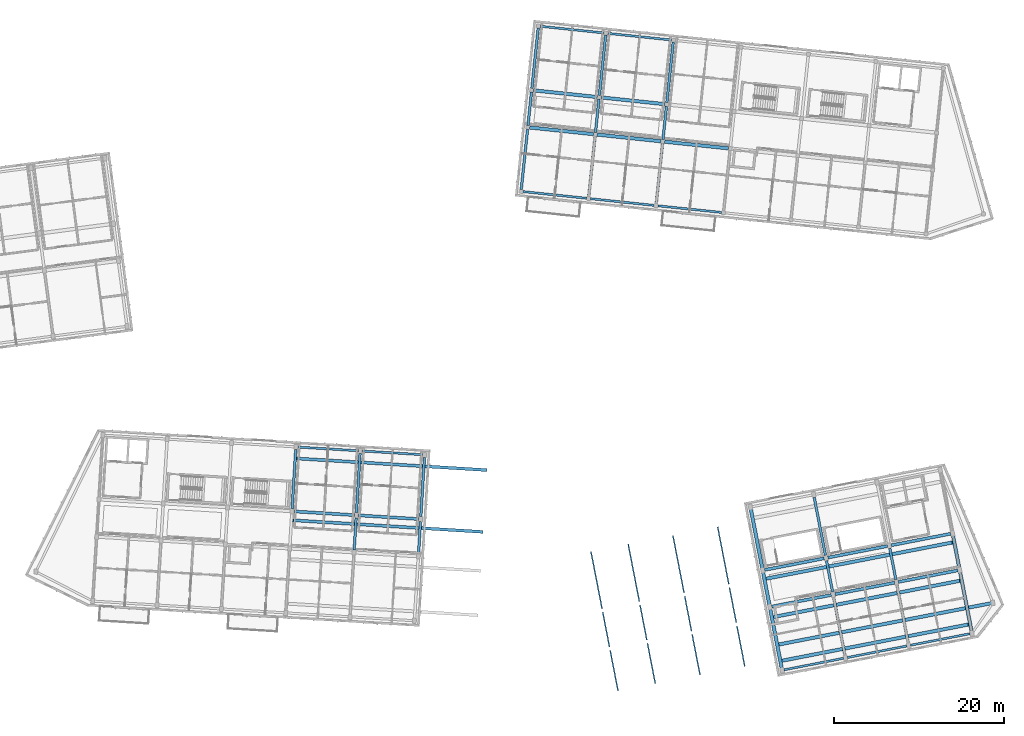
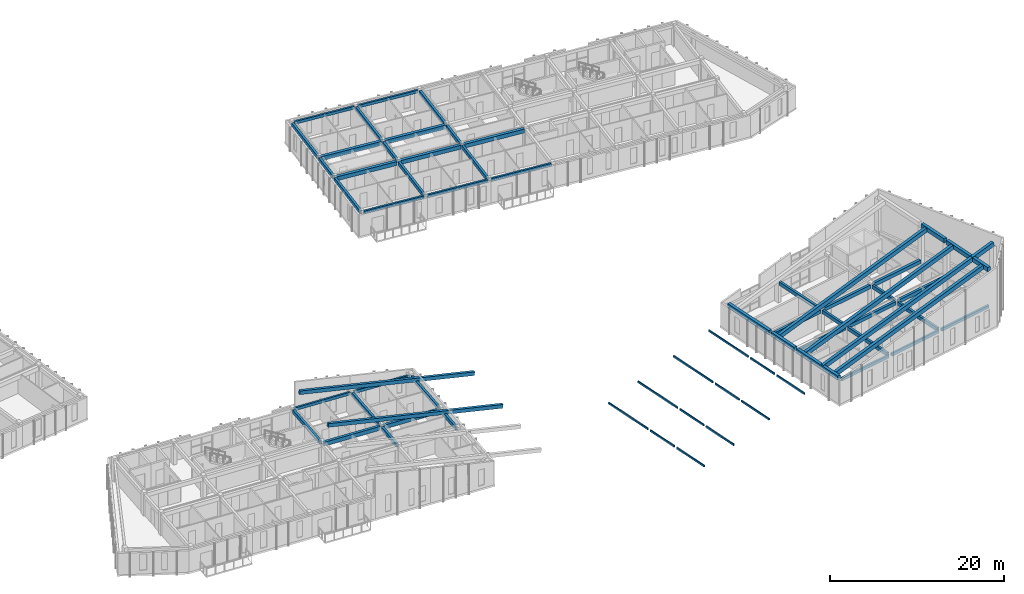
# One storey, part 9 of 56: 53 beams, 12 members.
"""IFC4 building model written with IfcOpenShell, lengths in metres."""

from ifc_helpers import new_model, si_unit, direction, frame, origin, origin_2d, place, context, subcontext, project, spatial, rectangle, hollow_rectangle, extrude, material, material_profile, profile_set, type_object, element, save


model = new_model("IFC4")

# Units and contexts
model_context = context("Model", 3, precision=1e-05, world=origin(), true_north=direction((0.0, 1.0)))
body_context = subcontext(model_context, "Body", "Model", "MODEL_VIEW")
ifc_project = project(units=[si_unit("LENGTHUNIT", "METRE"), si_unit("AREAUNIT", "SQUARE_METRE"), si_unit("VOLUMEUNIT", "CUBIC_METRE"), si_unit("PLANEANGLEUNIT", "RADIAN"), si_unit("MASSUNIT", "GRAM", prefix="KILO")], contexts=[model_context])

# Site, building, storey
site_placement = place(None, origin())
site = spatial("IfcSite", under=ifc_project, at=site_placement, CompositionType="ELEMENT")
building_placement = place(site_placement, origin())
building = spatial("IfcBuilding", under=site, at=building_placement, Name="Kestramere Prow Commons", CompositionType="ELEMENT")
storey_placement = place(building_placement, frame((0.0, 0.0, 27.89990234375)))
storey = spatial("IfcBuildingStorey", under=building, at=storey_placement, Name="L08", CompositionType="ELEMENT", Elevation=27.89990234375)

# Beams
ifc_material_1 = material(Name="Precast concrete C40/50", Category="concrete")
ifc_material_profile_1 = material_profile(ifc_material_1, rectangle(XDim=0.39990234375, YDim=0.550048828125, at=origin_2d()), Name="PC-BM 400x550")
ifc_profile_set_1 = profile_set([ifc_material_profile_1], Name="Precast concrete C40/50")
beam_type_1 = type_object("IfcBeamType", Name="BM-B1 PC-BM 400x550", PredefinedType="BEAM", material=ifc_profile_set_1)
beam_1_placement = place(storey_placement, frame((111.01806640625, 102.3349609375, 2.72509765625), z_axis=(0.994520503149, -0.104541708502, 0.0), x_axis=(0.104541708502, 0.994520503149, 0.0)))
element("IfcBeam", 1, at=beam_1_placement, inside=storey, type_object=beam_type_1, Name="Block B L08 Longitudinal Beam 2-1", PredefinedType="BEAM", context=body_context, shape_type="SweptSolid", body=[
    extrude(rectangle(XDim=0.39990234375, YDim=0.550048828125, at=origin_2d()), origin(), (0.0, 0.0, 1.0), 7.550048828125),
])
beam_2_placement = place(storey_placement, frame((118.974365234375, 101.49853515625, 2.72509765625), z_axis=(0.994523511366, -0.104513086937, 0.0), x_axis=(0.104513086937, 0.994523511366, 0.0)))
element("IfcBeam", 2, at=beam_2_placement, inside=storey, type_object=beam_type_1, Name="Block B L08 Longitudinal Beam 2-2", PredefinedType="BEAM", context=body_context, shape_type="SweptSolid", body=[
    extrude(rectangle(XDim=0.39990234375, YDim=0.550048828125, at=origin_2d()), origin(), (0.0, 0.0, 1.0), 7.5498046875),
])
for number, where, z_axis, x_axis, name in (
    (3, (126.930419921875, 100.662353515625, 2.72509765625), (0.994523864565, -0.104509725916, 0.0), (0.104509725916, 0.994523864565, 0.0), "Block B L08 Longitudinal Beam 2-3"),
    (4, (111.47802734375, 106.710693359375, 2.72509765625), (0.994523864565, -0.104509725916, 0.0), (0.104509725916, 0.994523864565, 0.0), "Block B L08 Longitudinal Beam 3-1"),
):
    element("IfcBeam", number, at=place(storey_placement, frame(where, z_axis=z_axis, x_axis=x_axis)), inside=storey, type_object=beam_type_1, Name=name, PredefinedType="BEAM", context=body_context, shape_type="SweptSolid", body=[
        extrude(rectangle(XDim=0.39990234375, YDim=0.550048828125, at=origin_2d()), origin(), (0.0, 0.0, 1.0), 7.550048828125),
    ])
beam_3_placement = place(storey_placement, frame((119.434326171875, 105.87451171875, 2.72509765625), z_axis=(0.994520149735, -0.104545070528, 0.0), x_axis=(0.104545070528, 0.994520149735, 0.0)))
element("IfcBeam", 5, at=beam_3_placement, inside=storey, type_object=beam_type_1, Name="Block B L08 Longitudinal Beam 3-2", PredefinedType="BEAM", context=body_context, shape_type="SweptSolid", body=[
    extrude(rectangle(XDim=0.39990234375, YDim=0.550048828125, at=origin_2d()), origin(), (0.0, 0.0, 1.0), 7.5498046875),
])
ifc_material_profile_2 = material_profile(ifc_material_1, rectangle(XDim=0.35009765625, YDim=0.550048828125, at=origin_2d()), Name="PC-BM 350x550")
ifc_profile_set_2 = profile_set([ifc_material_profile_2], Name="Precast concrete C40/50")
beam_type_2 = type_object("IfcBeamType", Name="BM-C1 PC-BM 350x550", PredefinedType="BEAM", material=ifc_profile_set_2)
beam_4_placement = place(storey_placement, frame((83.214599609375, 57.072021484375, 2.72509765625), z_axis=(0.998134602239, -0.061051747017, 0.0), x_axis=(0.061051747017, 0.998134602239, 0.0)))
element("IfcBeam", 6, at=beam_4_placement, inside=storey, type_object=beam_type_2, Name="Block C L08 Longitudinal Beam 3-4", PredefinedType="BEAM", context=body_context, shape_type="SweptSolid", body=[
    extrude(rectangle(XDim=0.35009765625, YDim=0.550048828125, at=origin_2d()), origin(), (0.0, 0.0, 1.0), 7.150146484375),
])
beam_5_placement = place(storey_placement, frame((90.800537109375, 56.60791015625, 2.72509765625), z_axis=(0.998136555268, -0.061019808568, 0.0), x_axis=(0.061019808568, 0.998136555268, 0.0)))
element("IfcBeam", 7, at=beam_5_placement, inside=storey, type_object=beam_type_2, Name="Block C L08 Longitudinal Beam 3-5", PredefinedType="BEAM", context=body_context, shape_type="SweptSolid", body=[
    extrude(rectangle(XDim=0.35009765625, YDim=0.550048828125, at=origin_2d()), origin(), (0.0, 0.0, 1.0), 7.14990234375),
])
ifc_material_profile_3 = material_profile(ifc_material_1, rectangle(XDim=0.35009765625, YDim=0.5, at=origin_2d()), Name="PC-BM 350x500")
ifc_profile_set_3 = profile_set([ifc_material_profile_3], Name="Precast concrete C40/50")
beam_type_3 = type_object("IfcBeamType", Name="BM-D1 PC-BM 350x500", PredefinedType="BEAM", material=ifc_profile_set_3)
beam_6_placement = place(storey_placement, frame((139.5517578125, 45.853759765625, 2.75), z_axis=(0.981628715169, 0.190801115182, 0.0), x_axis=(-0.190801115182, 0.981628715169, 0.0)))
element("IfcBeam", 8, at=beam_6_placement, inside=storey, type_object=beam_type_3, Name="Block D L08 Longitudinal Beam 2-4", PredefinedType="BEAM", context=body_context, shape_type="SweptSolid", body=[
    extrude(rectangle(XDim=0.35009765625, YDim=0.5, at=origin_2d()), origin(), (0.0, 0.0, 1.0), 7.150146484375),
])
for number, where, z_axis, x_axis, name in (
    (9, (147.01220703125, 47.303955078125, 2.75), (0.981627472063, 0.190807510571, 0.0), (-0.190807510571, 0.981627472063, 0.0), "Block D L08 Longitudinal Beam 2-5"),
    (10, (154.47265625, 48.754150390625, 2.75), (0.981627472063, 0.190807510571, 0.0), (-0.190807510571, 0.981627472063, 0.0), "Block D L08 Longitudinal Beam 2-6"),
):
    element("IfcBeam", number, at=place(storey_placement, frame(where, z_axis=z_axis, x_axis=x_axis)), inside=storey, type_object=beam_type_3, Name=name, PredefinedType="BEAM", context=body_context, shape_type="SweptSolid", body=[
        extrude(rectangle(XDim=0.35009765625, YDim=0.5, at=origin_2d()), origin(), (0.0, 0.0, 1.0), 7.14990234375),
    ])
beam_7_placement = place(storey_placement, frame((138.712158203125, 50.1728515625, 2.75), z_axis=(0.981628715169, 0.190801115182, 0.0), x_axis=(-0.190801115182, 0.981628715169, 0.0)))
element("IfcBeam", 11, at=beam_7_placement, inside=storey, type_object=beam_type_3, Name="Block D L08 Longitudinal Beam 3-4", PredefinedType="BEAM", context=body_context, shape_type="SweptSolid", body=[
    extrude(rectangle(XDim=0.35009765625, YDim=0.5, at=origin_2d()), origin(), (0.0, 0.0, 1.0), 7.150146484375),
])
for number, where, z_axis, x_axis, name in (
    (12, (146.172607421875, 51.623046875, 2.75), (0.981627472063, 0.190807510571, 0.0), (-0.190807510571, 0.981627472063, 0.0), "Block D L08 Longitudinal Beam 3-5"),
    (13, (153.633056640625, 53.0732421875, 2.75), (0.981627472063, 0.190807510571, 0.0), (-0.190807510571, 0.981627472063, 0.0), "Block D L08 Longitudinal Beam 3-6"),
):
    element("IfcBeam", number, at=place(storey_placement, frame(where, z_axis=z_axis, x_axis=x_axis)), inside=storey, type_object=beam_type_3, Name=name, PredefinedType="BEAM", context=body_context, shape_type="SweptSolid", body=[
        extrude(rectangle(XDim=0.35009765625, YDim=0.5, at=origin_2d()), origin(), (0.0, 0.0, 1.0), 7.14990234375),
    ])
ifc_material_profile_4 = material_profile(ifc_material_1, rectangle(XDim=0.300048828125, YDim=0.5, at=origin_2d()), Name="PC-BM 300x500")
ifc_profile_set_4 = profile_set([ifc_material_profile_4], Name="Precast concrete C40/50")
beam_type_4 = type_object("IfcBeamType", Name="BM-TIE-01 PC-BM 300x500", PredefinedType="BEAM", material=ifc_profile_set_4)
beam_8_placement = place(storey_placement, frame((110.0234375, 95.023681640625, 2.75), z_axis=(0.104553253602, 0.994519289487, 0.0), x_axis=(-0.994519289487, 0.104553253602, 0.0)))
element("IfcBeam", 14, at=beam_8_placement, inside=storey, type_object=beam_type_4, Name="Block B L08 Transverse Beam 1-1", PredefinedType="BEAM", context=body_context, shape_type="SweptSolid", body=[
    extrude(rectangle(XDim=0.300048828125, YDim=0.5, at=origin_2d()), origin(), (0.0, 0.0, 1.0), 7.150146484375),
])
beam_9_placement = place(storey_placement, frame((110.81787109375, 102.58203125, 2.75), z_axis=(0.10451426563, 0.994523387498, 0.0), x_axis=(-0.994523387498, 0.10451426563, 0.0)))
element("IfcBeam", 15, at=beam_9_placement, inside=storey, type_object=beam_type_4, Name="Block B L08 Transverse Beam 1-2", PredefinedType="BEAM", context=body_context, shape_type="SweptSolid", body=[
    extrude(rectangle(XDim=0.300048828125, YDim=0.5, at=origin_2d()), origin(), (0.0, 0.0, 1.0), 3.9501953125),
])
for number, where, z_axis, x_axis, name in (
    (16, (111.27783203125, 106.9580078125, 2.75), (0.104519481265, 0.994522839374, 0.0), (-0.994522839374, 0.104519481265, 0.0), "Block B L08 Transverse Beam 1-3"),
    (17, (117.979736328125, 94.1875, 2.75), (0.104519481265, 0.994522839374, 0.0), (-0.994522839374, 0.104519481265, 0.0), "Block B L08 Transverse Beam 2-1"),
):
    element("IfcBeam", number, at=place(storey_placement, frame(where, z_axis=z_axis, x_axis=x_axis)), inside=storey, type_object=beam_type_4, Name=name, PredefinedType="BEAM", context=body_context, shape_type="SweptSolid", body=[
        extrude(rectangle(XDim=0.300048828125, YDim=0.5, at=origin_2d()), origin(), (0.0, 0.0, 1.0), 7.14990234375),
    ])
beam_10_placement = place(storey_placement, frame((118.774169921875, 101.745849609375, 2.75), z_axis=(0.10451426563, 0.994523387498, 0.0), x_axis=(-0.994523387498, 0.10451426563, 0.0)))
element("IfcBeam", 18, at=beam_10_placement, inside=storey, type_object=beam_type_4, Name="Block B L08 Transverse Beam 2-2", PredefinedType="BEAM", context=body_context, shape_type="SweptSolid", body=[
    extrude(rectangle(XDim=0.300048828125, YDim=0.5, at=origin_2d()), origin(), (0.0, 0.0, 1.0), 3.9501953125),
])
beam_11_placement = place(storey_placement, frame((119.234130859375, 106.121826171875, 2.75), z_axis=(0.104519481265, 0.994522839374, 0.0), x_axis=(-0.994522839374, 0.104519481265, 0.0)))
element("IfcBeam", 19, at=beam_11_placement, inside=storey, type_object=beam_type_4, Name="Block B L08 Transverse Beam 2-3", PredefinedType="BEAM", context=body_context, shape_type="SweptSolid", body=[
    extrude(rectangle(XDim=0.300048828125, YDim=0.5, at=origin_2d()), origin(), (0.0, 0.0, 1.0), 7.14990234375),
])
beam_12_placement = place(storey_placement, frame((125.935791015625, 93.351318359375, 2.75), z_axis=(0.104553253602, 0.994519289487, 0.0), x_axis=(-0.994519289487, 0.104553253602, 0.0)))
element("IfcBeam", 20, at=beam_12_placement, inside=storey, type_object=beam_type_4, Name="Block B L08 Transverse Beam 3-1", PredefinedType="BEAM", context=body_context, shape_type="SweptSolid", body=[
    extrude(rectangle(XDim=0.300048828125, YDim=0.5, at=origin_2d()), origin(), (0.0, 0.0, 1.0), 7.150146484375),
])
beam_13_placement = place(storey_placement, frame((126.730224609375, 100.90966796875, 2.75), z_axis=(0.10451426563, 0.994523387498, 0.0), x_axis=(-0.994523387498, 0.10451426563, 0.0)))
element("IfcBeam", 21, at=beam_13_placement, inside=storey, type_object=beam_type_4, Name="Block B L08 Transverse Beam 3-2", PredefinedType="BEAM", context=body_context, shape_type="SweptSolid", body=[
    extrude(rectangle(XDim=0.300048828125, YDim=0.5, at=origin_2d()), origin(), (0.0, 0.0, 1.0), 3.9501953125),
])
beam_14_placement = place(storey_placement, frame((127.190185546875, 105.28564453125, 2.75), z_axis=(0.104519481265, 0.994522839374, 0.0), x_axis=(-0.994522839374, 0.104519481265, 0.0)))
element("IfcBeam", 22, at=beam_14_placement, inside=storey, type_object=beam_type_4, Name="Block B L08 Transverse Beam 3-3", PredefinedType="BEAM", context=body_context, shape_type="SweptSolid", body=[
    extrude(rectangle(XDim=0.300048828125, YDim=0.5, at=origin_2d()), origin(), (0.0, 0.0, 1.0), 7.14990234375),
])
beam_15_placement = place(storey_placement, frame((83.00830078125, 57.38525390625, 2.75), z_axis=(0.061071060859, 0.998133420704, 0.0), x_axis=(-0.998133420704, 0.061071060859, 0.0)))
element("IfcBeam", 23, at=beam_15_placement, inside=storey, type_object=beam_type_4, Name="Block C L08 Transverse Beam 4-3", PredefinedType="BEAM", context=body_context, shape_type="SweptSolid", body=[
    extrude(rectangle(XDim=0.300048828125, YDim=0.5, at=origin_2d()), origin(), (0.0, 0.0, 1.0), 7.0),
])
beam_16_placement = place(storey_placement, frame((90.32568359375, 52.529296875, 2.75), z_axis=(0.061034300063, 0.998135669243, 0.0), x_axis=(-0.998135669243, 0.061034300063, 0.0)))
element("IfcBeam", 24, at=beam_16_placement, inside=storey, type_object=beam_type_4, Name="Block C L08 Transverse Beam 5-2", PredefinedType="BEAM", context=body_context, shape_type="SweptSolid", body=[
    extrude(rectangle(XDim=0.300048828125, YDim=0.5, at=origin_2d()), origin(), (0.0, 0.0, 1.0), 3.800048828125),
])
beam_17_placement = place(storey_placement, frame((90.59423828125, 56.921142578125, 2.75), z_axis=(0.061034188237, 0.998135676081, 0.0), x_axis=(-0.998135676081, 0.061034188237, 0.0)))
element("IfcBeam", 25, at=beam_17_placement, inside=storey, type_object=beam_type_4, Name="Block C L08 Transverse Beam 5-3", PredefinedType="BEAM", context=body_context, shape_type="SweptSolid", body=[
    extrude(rectangle(XDim=0.300048828125, YDim=0.5, at=origin_2d()), origin(), (0.0, 0.0, 1.0), 7.0),
])
beam_18_placement = place(storey_placement, frame((97.911376953125, 52.0654296875, 2.75), z_axis=(0.061034300063, 0.998135669243, 0.0), x_axis=(-0.998135669243, 0.061034300063, 0.0)))
element("IfcBeam", 26, at=beam_18_placement, inside=storey, type_object=beam_type_4, Name="Block C L08 Transverse Beam 6-2", PredefinedType="BEAM", context=body_context, shape_type="SweptSolid", body=[
    extrude(rectangle(XDim=0.300048828125, YDim=0.5, at=origin_2d()), origin(), (0.0, 0.0, 1.0), 3.800048828125),
])
beam_19_placement = place(storey_placement, frame((98.179931640625, 56.457275390625, 2.75), z_axis=(0.061071060859, 0.998133420704, 0.0), x_axis=(-0.998133420704, 0.061071060859, 0.0)))
element("IfcBeam", 27, at=beam_19_placement, inside=storey, type_object=beam_type_4, Name="Block C L08 Transverse Beam 6-3", PredefinedType="BEAM", context=body_context, shape_type="SweptSolid", body=[
    extrude(rectangle(XDim=0.300048828125, YDim=0.5, at=origin_2d()), origin(), (0.0, 0.0, 1.0), 7.0),
])
beam_20_placement = place(storey_placement, frame((148.179443359375, 40.11962890625, 2.75), z_axis=(-0.190817005532, 0.981625626397, 0.0), x_axis=(-0.981625626397, -0.190817005532, 0.0)))
element("IfcBeam", 28, at=beam_20_placement, inside=storey, type_object=beam_type_4, Name="Block D L08 Transverse Beam 5-1", PredefinedType="BEAM", context=body_context, shape_type="SweptSolid", body=[
    extrude(rectangle(XDim=0.300048828125, YDim=0.5, at=origin_2d()), origin(), (0.0, 0.0, 1.0), 6.949951171875),
])
beam_21_placement = place(storey_placement, frame((146.729248046875, 47.580078125, 2.75), z_axis=(-0.190829578001, 0.981623182367, 0.0), x_axis=(-0.981623182367, -0.190829578001, 0.0)))
element("IfcBeam", 29, at=beam_21_placement, inside=storey, type_object=beam_type_4, Name="Block D L08 Transverse Beam 5-2", PredefinedType="BEAM", context=body_context, shape_type="SweptSolid", body=[
    extrude(rectangle(XDim=0.300048828125, YDim=0.5, at=origin_2d()), origin(), (0.0, 0.0, 1.0), 3.749755859375),
])
for number, where, z_axis, x_axis, name in (
    (30, (145.8896484375, 51.899169921875, 2.75), (-0.190783155939, 0.981632205773, 0.0), (-0.981632205773, -0.190783155939, 0.0), "Block D L08 Transverse Beam 5-3"),
    (31, (155.639892578125, 41.56982421875, 2.75), (-0.190817005532, 0.981625626397, 0.0), (-0.981625626397, -0.190817005532, 0.0), "Block D L08 Transverse Beam 6-1"),
):
    element("IfcBeam", number, at=place(storey_placement, frame(where, z_axis=z_axis, x_axis=x_axis)), inside=storey, type_object=beam_type_4, Name=name, PredefinedType="BEAM", context=body_context, shape_type="SweptSolid", body=[
        extrude(rectangle(XDim=0.300048828125, YDim=0.5, at=origin_2d()), origin(), (0.0, 0.0, 1.0), 6.949951171875),
    ])
beam_22_placement = place(storey_placement, frame((154.189697265625, 49.030029296875, 2.75), z_axis=(-0.190817382683, 0.981625553083, 0.0), x_axis=(-0.981625553083, -0.190817382683, 0.0)))
element("IfcBeam", 32, at=beam_22_placement, inside=storey, type_object=beam_type_4, Name="Block D L08 Transverse Beam 6-2", PredefinedType="BEAM", context=body_context, shape_type="SweptSolid", body=[
    extrude(rectangle(XDim=0.300048828125, YDim=0.5, at=origin_2d()), origin(), (0.0, 0.0, 1.0), 3.75),
])

# Members
ifc_material_2 = material(Name="Steel S355JR", Category="steel")
ifc_material_profile_5 = material_profile(ifc_material_2, hollow_rectangle(XDim=0.14990234375, YDim=0.25, WallThickness=0.010009765625, at=origin_2d()), Name="RHS 250x150x10")
ifc_profile_set_5 = profile_set([ifc_material_profile_5], Name="Steel S355JR")
member_type = type_object("IfcMemberType", Name="PUR-01 RHS 250x150x10", PredefinedType="PURLIN", material=ifc_profile_set_5)
member_1_placement = place(storey_placement, frame((136.37255859375, 38.81787109375, 2.15380859375), z_axis=(-0.190837321905, 0.981621676904, 0.0), x_axis=(-0.981621676904, -0.190837321905, 0.0)))
element("IfcMember", 33, at=member_1_placement, inside=storey, type_object=member_type, Name="Block D Prow Roof Purlin 1-1", PredefinedType="PURLIN", context=body_context, shape_type="SweptSolid", body=[
    extrude(hollow_rectangle(XDim=0.14990234375, YDim=0.25, WallThickness=0.010009765625, at=origin_2d()), origin(), (0.0, 0.0, 1.0), 4.849853515625),
])
member_2_placement = place(storey_placement, frame((135.370849609375, 43.971435546875, 2.15380859375), z_axis=(-0.190836985834, 0.98162174224, 0.0), x_axis=(-0.98162174224, -0.190836985834, 0.0)))
element("IfcMember", 34, at=member_2_placement, inside=storey, type_object=member_type, Name="Block D Prow Roof Purlin 1-2", PredefinedType="PURLIN", context=body_context, shape_type="SweptSolid", body=[
    extrude(hollow_rectangle(XDim=0.14990234375, YDim=0.25, WallThickness=0.010009765625, at=origin_2d()), origin(), (0.0, 0.0, 1.0), 4.199951171875),
])
member_3_placement = place(storey_placement, frame((134.4931640625, 48.48681640625, 2.15380859375), z_axis=(-0.190819465253, 0.981625148252, 0.0), x_axis=(-0.981625148252, -0.190819465253, 0.0)))
element("IfcMember", 35, at=member_3_placement, inside=storey, type_object=member_type, Name="Block D Prow Roof Purlin 1-3", PredefinedType="PURLIN", context=body_context, shape_type="SweptSolid", body=[
    extrude(hollow_rectangle(XDim=0.14990234375, YDim=0.25, WallThickness=0.010009765625, at=origin_2d()), origin(), (0.0, 0.0, 1.0), 6.89990234375),
])
member_4_placement = place(storey_placement, frame((131.10009765625, 37.79296875, 1.04052734375), z_axis=(-0.190827892247, 0.981623510079, 0.0), x_axis=(-0.981623510079, -0.190827892247, 0.0)))
element("IfcMember", 36, at=member_4_placement, inside=storey, type_object=member_type, Name="Block D Prow Roof Purlin 2-1", PredefinedType="PURLIN", context=body_context, shape_type="SweptSolid", body=[
    extrude(hollow_rectangle(XDim=0.14990234375, YDim=0.25, WallThickness=0.010009765625, at=origin_2d()), origin(), (0.0, 0.0, 1.0), 4.85009765625),
])
member_5_placement = place(storey_placement, frame((130.09814453125, 42.946533203125, 1.04052734375), z_axis=(-0.190780973041, 0.981632630023, 0.0), x_axis=(-0.981632630023, -0.190780973041, 0.0)))
element("IfcMember", 37, at=member_5_placement, inside=storey, type_object=member_type, Name="Block D Prow Roof Purlin 2-2", PredefinedType="PURLIN", context=body_context, shape_type="SweptSolid", body=[
    extrude(hollow_rectangle(XDim=0.14990234375, YDim=0.25, WallThickness=0.010009765625, at=origin_2d()), origin(), (0.0, 0.0, 1.0), 4.199951171875),
])
member_6_placement = place(storey_placement, frame((129.220458984375, 47.4619140625, 1.04052734375), z_axis=(-0.190785370465, 0.98163177537, 0.0), x_axis=(-0.98163177537, -0.190785370465, 0.0)))
element("IfcMember", 38, at=member_6_placement, inside=storey, type_object=member_type, Name="Block D Prow Roof Purlin 2-3", PredefinedType="PURLIN", context=body_context, shape_type="SweptSolid", body=[
    extrude(hollow_rectangle(XDim=0.14990234375, YDim=0.25, WallThickness=0.010009765625, at=origin_2d()), origin(), (0.0, 0.0, 1.0), 6.89990234375),
])
member_7_placement = place(storey_placement, frame((125.827392578125, 36.76806640625, -0.07275390625), z_axis=(-0.190779387502, 0.981632938172, 0.0), x_axis=(-0.981632938172, -0.190779387502, 0.0)))
element("IfcMember", 39, at=member_7_placement, inside=storey, type_object=member_type, Name="Block D Prow Roof Purlin 3-1", PredefinedType="PURLIN", context=body_context, shape_type="SweptSolid", body=[
    extrude(hollow_rectangle(XDim=0.14990234375, YDim=0.25, WallThickness=0.010009765625, at=origin_2d()), origin(), (0.0, 0.0, 1.0), 4.85009765625),
])
member_8_placement = place(storey_placement, frame((124.82568359375, 41.921630859375, -0.07275390625), z_axis=(-0.190780973041, 0.981632630023, 0.0), x_axis=(-0.981632630023, -0.190780973041, 0.0)))
element("IfcMember", 40, at=member_8_placement, inside=storey, type_object=member_type, Name="Block D Prow Roof Purlin 3-2", PredefinedType="PURLIN", context=body_context, shape_type="SweptSolid", body=[
    extrude(hollow_rectangle(XDim=0.14990234375, YDim=0.25, WallThickness=0.010009765625, at=origin_2d()), origin(), (0.0, 0.0, 1.0), 4.199951171875),
])
member_9_placement = place(storey_placement, frame((123.947998046875, 46.43701171875, -0.07275390625), z_axis=(-0.190812837813, 0.981626436546, 0.0), x_axis=(-0.981626436546, -0.190812837813, 0.0)))
element("IfcMember", 41, at=member_9_placement, inside=storey, type_object=member_type, Name="Block D Prow Roof Purlin 3-3", PredefinedType="PURLIN", context=body_context, shape_type="SweptSolid", body=[
    extrude(hollow_rectangle(XDim=0.14990234375, YDim=0.25, WallThickness=0.010009765625, at=origin_2d()), origin(), (0.0, 0.0, 1.0), 6.900146484375),
])
member_10_placement = place(storey_placement, frame((121.433837890625, 35.9140625, -1.00048828125), z_axis=(-0.190837321905, 0.981621676904, 0.0), x_axis=(-0.981621676904, -0.190837321905, 0.0)))
element("IfcMember", 42, at=member_10_placement, inside=storey, type_object=member_type, Name="Block D Prow Roof Purlin 4-1", PredefinedType="PURLIN", context=body_context, shape_type="SweptSolid", body=[
    extrude(hollow_rectangle(XDim=0.14990234375, YDim=0.25, WallThickness=0.010009765625, at=origin_2d()), origin(), (0.0, 0.0, 1.0), 4.849853515625),
])
member_11_placement = place(storey_placement, frame((120.431884765625, 41.067626953125, -1.00048828125), z_axis=(-0.190780973041, 0.981632630023, 0.0), x_axis=(-0.981632630023, -0.190780973041, 0.0)))
element("IfcMember", 43, at=member_11_placement, inside=storey, type_object=member_type, Name="Block D Prow Roof Purlin 4-2", PredefinedType="PURLIN", context=body_context, shape_type="SweptSolid", body=[
    extrude(hollow_rectangle(XDim=0.14990234375, YDim=0.25, WallThickness=0.010009765625, at=origin_2d()), origin(), (0.0, 0.0, 1.0), 4.199951171875),
])
member_12_placement = place(storey_placement, frame((119.55419921875, 45.5830078125, -1.00048828125), z_axis=(-0.190785370465, 0.98163177537, 0.0), x_axis=(-0.98163177537, -0.190785370465, 0.0)))
element("IfcMember", 44, at=member_12_placement, inside=storey, type_object=member_type, Name="Block D Prow Roof Purlin 4-3", PredefinedType="PURLIN", context=body_context, shape_type="SweptSolid", body=[
    extrude(hollow_rectangle(XDim=0.14990234375, YDim=0.25, WallThickness=0.010009765625, at=origin_2d()), origin(), (0.0, 0.0, 1.0), 6.89990234375),
])

# Beams
ifc_material_profile_6 = material_profile(ifc_material_1, rectangle(XDim=0.39990234375, YDim=0.60009765625, at=origin_2d()), Name="PC-RB 400x600")
ifc_profile_set_6 = profile_set([ifc_material_profile_6], Name="Precast concrete C40/50")
beam_type_5 = type_object("IfcBeamType", Name="RB-PR-01 PC-RB 400x600", PredefinedType="BEAM", material=ifc_profile_set_6)
for number, where, z_axis, x_axis, name in (
    (45, (163.1279296875, 42.877685546875, 7.767578125), (-0.190828140516, 0.981623461816, 0.0), (-0.981623461816, -0.190828140516, 0.0), "Block D Prow Peak Transverse Girder 1"),
    (46, (140.746826171875, 38.527099609375, 3.048828125), (-0.190828140516, 0.981623461816, 0.0), (-0.981623461816, -0.190828140516, 0.0), "Block D Prow Mid-Slope Transverse Girder 1"),
):
    element("IfcBeam", number, at=place(storey_placement, frame(where, z_axis=z_axis, x_axis=x_axis)), inside=storey, type_object=beam_type_5, Name=name, PredefinedType="BEAM", context=body_context, shape_type="SweptSolid", body=[
        extrude(rectangle(XDim=0.39990234375, YDim=0.60009765625, at=origin_2d()), origin(), (0.0, 0.0, 1.0), 7.239990234375),
    ])
for number, where, z_axis, x_axis, name in (
    (47, (161.677734375, 50.337890625, 7.767578125), (-0.19083730996, 0.981621679226, 0.0), (-0.981621679226, -0.19083730996, 0.0), "Block D Prow Peak Transverse Girder 2"),
    (48, (139.296630859375, 45.987548828125, 3.048828125), (-0.19083730996, 0.981621679226, 0.0), (-0.981621679226, -0.19083730996, 0.0), "Block D Prow Mid-Slope Transverse Girder 2"),
):
    element("IfcBeam", number, at=place(storey_placement, frame(where, z_axis=z_axis, x_axis=x_axis)), inside=storey, type_object=beam_type_5, Name=name, PredefinedType="BEAM", context=body_context, shape_type="SweptSolid", body=[
        extrude(rectangle(XDim=0.39990234375, YDim=0.60009765625, at=origin_2d()), origin(), (0.0, 0.0, 1.0), 4.0400390625),
    ])
beam_23_placement = place(storey_placement, frame((138.45703125, 50.306640625, 3.048828125), z_axis=(-0.190795646995, 0.981629778016, 0.0), x_axis=(-0.981629778016, -0.190795646995, 0.0)))
element("IfcBeam", 49, at=beam_23_placement, inside=storey, type_object=beam_type_5, Name="Block D Prow Mid-Slope Transverse Girder 3", PredefinedType="BEAM", context=body_context, shape_type="SweptSolid", body=[
    extrude(rectangle(XDim=0.39990234375, YDim=0.60009765625, at=origin_2d()), origin(), (0.0, 0.0, 1.0), 7.239990234375),
])
for number, where, z_axis, x_axis, name in (
    (50, (162.74609375, 43.74072265625, 7.767578125), (-0.960507168177, -0.186713097726, -0.206310928015), (0.190818269462, -0.981625380703, 0.0), "Block D Upper Prow Raking Rafter 1"),
    (51, (161.744384765625, 48.89404296875, 7.767578125), (-0.960509082431, -0.186702795617, -0.206311339185), (0.190807757751, -0.981627424017, 0.0), "Block D Upper Prow Raking Rafter 2"),
    (52, (160.86669921875, 53.40966796875, 7.767578125), (-0.960509082431, -0.186702795617, -0.206311339185), (0.190807757751, -0.981627424017, 0.0), "Block D Upper Prow Raking Rafter 3"),
):
    element("IfcBeam", number, at=place(storey_placement, frame(where, z_axis=z_axis, x_axis=x_axis)), inside=storey, type_object=beam_type_5, Name=name, PredefinedType="BEAM", context=body_context, shape_type="SweptSolid", body=[
        extrude(rectangle(XDim=0.39990234375, YDim=0.60009765625, at=origin_2d()), origin(), (0.0, 0.0, 1.0), 22.8720703125),
    ])
beam_24_placement = place(storey_placement, frame((140.19921875, 41.344482421875, 3.048828125), z_axis=(0.96103435791, 0.186804473653, 0.203757334937), x_axis=(-0.190807339954, 0.981627505228, 0.0)))
element("IfcBeam", 53, at=beam_24_placement, inside=storey, type_object=beam_type_5, Name="Block D Prow Nose Ridge Rafter", PredefinedType="BEAM", context=body_context, shape_type="SweptSolid", body=[
    extrude(rectangle(XDim=0.39990234375, YDim=0.60009765625, at=origin_2d()), origin(), (0.0, 0.0, 1.0), 26.454833984375),
])
ifc_material_profile_7 = material_profile(ifc_material_1, rectangle(XDim=0.35009765625, YDim=0.5, at=origin_2d()), Name="PC-RB 350x500")
ifc_profile_set_7 = profile_set([ifc_material_profile_7], Name="Precast concrete C40/50")
beam_type_6 = type_object("IfcBeamType", Name="RB-PR-02 PC-RB 350x500", PredefinedType="BEAM", material=ifc_profile_set_7)
beam_25_placement = place(storey_placement, frame((83.135498046875, 56.02490234375, 6.00830078125), z_axis=(0.980148488451, -0.059945692161, -0.188985329004), x_axis=(0.061045741869, 0.998134969531, 0.0)))
element("IfcBeam", 54, at=beam_25_placement, inside=storey, type_object=beam_type_6, Name="Block C Lower Prow Raking Rafter 3", PredefinedType="BEAM", context=body_context, shape_type="SweptSolid", body=[
    extrude(rectangle(XDim=0.35009765625, YDim=0.5, at=origin_2d()), origin(), (0.0, 0.0, 1.0), 22.790771484375),
])
beam_26_placement = place(storey_placement, frame((83.581298828125, 63.311279296875, 6.00830078125), z_axis=(0.980148067357, -0.059946321573, -0.188987313292), x_axis=(0.061046406571, 0.998134928877, 0.0)))
element("IfcBeam", 55, at=beam_26_placement, inside=storey, type_object=beam_type_6, Name="Block C Lower Prow Raking Rafter 4", PredefinedType="BEAM", context=body_context, shape_type="SweptSolid", body=[
    extrude(rectangle(XDim=0.35009765625, YDim=0.5, at=origin_2d()), origin(), (0.0, 0.0, 1.0), 22.79052734375),
])
ifc_material_profile_8 = material_profile(ifc_material_1, rectangle(XDim=0.25, YDim=0.39990234375, at=origin_2d()), Name="PC-SP 250x400")
ifc_profile_set_8 = profile_set([ifc_material_profile_8], Name="Precast concrete C40/50")
beam_type_7 = type_object("IfcBeamType", Name="SP-EXT-01 PC-SP 250x400", PredefinedType="SPANDREL", material=ifc_profile_set_8)
for number, where, z_axis, x_axis, name in (
    (56, (110.223876953125, 94.7763671875, 2.800048828125), (0.994523511366, -0.104513086937, 0.0), (0.104513086937, 0.994523511366, 0.0), "Block B L08 Longitudinal Beam 1-1"),
    (57, (118.179931640625, 93.940185546875, 2.800048828125), (0.994523511366, -0.104513086937, 0.0), (0.104513086937, 0.994523511366, 0.0), "Block B L08 Longitudinal Beam 1-2"),
    (58, (126.13623046875, 93.10400390625, 2.800048828125), (0.994523511366, -0.104513086937, 0.0), (0.104513086937, 0.994523511366, 0.0), "Block B L08 Longitudinal Beam 1-3"),
):
    element("IfcBeam", number, at=place(storey_placement, frame(where, z_axis=z_axis, x_axis=x_axis)), inside=storey, type_object=beam_type_7, Name=name, PredefinedType="SPANDREL", context=body_context, shape_type="SweptSolid", body=[
        extrude(rectangle(XDim=0.25, YDim=0.39990234375, at=origin_2d()), origin(), (0.0, 0.0, 1.0), 7.5498046875),
    ])
beam_27_placement = place(storey_placement, frame((112.2724609375, 114.26904296875, 2.800048828125), z_axis=(0.994523864565, -0.104509725916, 0.0), x_axis=(0.104509725916, 0.994523864565, 0.0)))
element("IfcBeam", 59, at=beam_27_placement, inside=storey, type_object=beam_type_7, Name="Block B L08 Longitudinal Beam 4-1", PredefinedType="SPANDREL", context=body_context, shape_type="SweptSolid", body=[
    extrude(rectangle(XDim=0.25, YDim=0.39990234375, at=origin_2d()), origin(), (0.0, 0.0, 1.0), 7.550048828125),
])
beam_28_placement = place(storey_placement, frame((120.228759765625, 113.432861328125, 2.800048828125), z_axis=(0.994523511366, -0.104513086937, 0.0), x_axis=(0.104513086937, 0.994523511366, 0.0)))
element("IfcBeam", 60, at=beam_28_placement, inside=storey, type_object=beam_type_7, Name="Block B L08 Longitudinal Beam 4-2", PredefinedType="SPANDREL", context=body_context, shape_type="SweptSolid", body=[
    extrude(rectangle(XDim=0.25, YDim=0.39990234375, at=origin_2d()), origin(), (0.0, 0.0, 1.0), 7.5498046875),
])
beam_29_placement = place(storey_placement, frame((83.6787109375, 64.65771484375, 2.800048828125), z_axis=(0.998134474962, -0.061053827828, 0.0), x_axis=(0.061053827828, 0.998134474962, 0.0)))
element("IfcBeam", 61, at=beam_29_placement, inside=storey, type_object=beam_type_7, Name="Block C L08 Longitudinal Beam 4-4", PredefinedType="SPANDREL", context=body_context, shape_type="SweptSolid", body=[
    extrude(rectangle(XDim=0.25, YDim=0.39990234375, at=origin_2d()), origin(), (0.0, 0.0, 1.0), 7.14990234375),
])
beam_30_placement = place(storey_placement, frame((91.264404296875, 64.19384765625, 2.800048828125), z_axis=(0.998134602239, -0.061051747017, 0.0), x_axis=(0.061051747017, 0.998134602239, 0.0)))
element("IfcBeam", 62, at=beam_30_placement, inside=storey, type_object=beam_type_7, Name="Block C L08 Longitudinal Beam 4-5", PredefinedType="SPANDREL", context=body_context, shape_type="SweptSolid", body=[
    extrude(rectangle(XDim=0.25, YDim=0.39990234375, at=origin_2d()), origin(), (0.0, 0.0, 1.0), 7.150146484375),
])
for number, where, z_axis, x_axis, name in (
    (63, (141.001953125, 38.393310546875, 2.800048828125), (0.981627472063, 0.190807510571, 0.0), (-0.190807510571, 0.981627472063, 0.0), "Block D L08 Longitudinal Beam 1-4"),
    (64, (148.46240234375, 39.843505859375, 2.800048828125), (0.981627472063, 0.190807510571, 0.0), (-0.190807510571, 0.981627472063, 0.0), "Block D L08 Longitudinal Beam 1-5"),
):
    element("IfcBeam", number, at=place(storey_placement, frame(where, z_axis=z_axis, x_axis=x_axis)), inside=storey, type_object=beam_type_7, Name=name, PredefinedType="SPANDREL", context=body_context, shape_type="SweptSolid", body=[
        extrude(rectangle(XDim=0.25, YDim=0.39990234375, at=origin_2d()), origin(), (0.0, 0.0, 1.0), 7.14990234375),
    ])
beam_31_placement = place(storey_placement, frame((155.922607421875, 41.293701171875, 2.800048828125), z_axis=(0.981628715169, 0.190801115182, 0.0), x_axis=(-0.190801115182, 0.981628715169, 0.0)))
element("IfcBeam", 65, at=beam_31_placement, inside=storey, type_object=beam_type_7, Name="Block D L08 Longitudinal Beam 1-6", PredefinedType="SPANDREL", context=body_context, shape_type="SweptSolid", body=[
    extrude(rectangle(XDim=0.25, YDim=0.39990234375, at=origin_2d()), origin(), (0.0, 0.0, 1.0), 7.150146484375),
])

save(model, "model.ifc")
